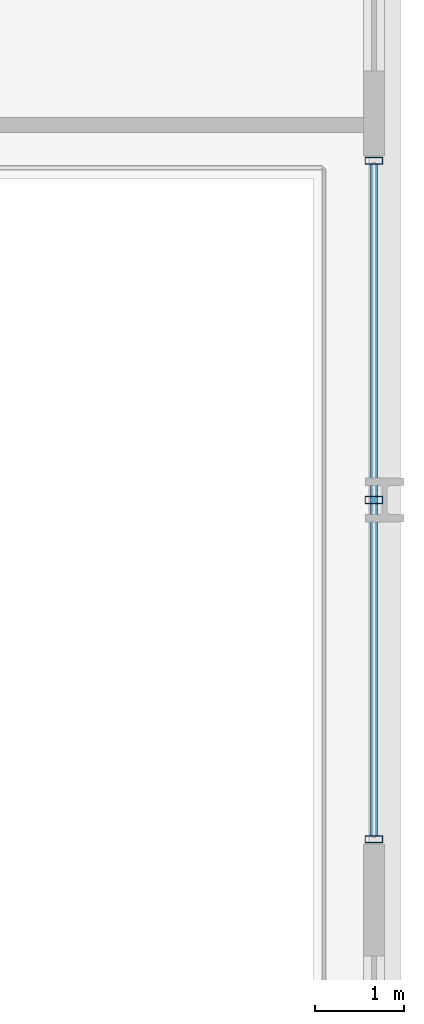
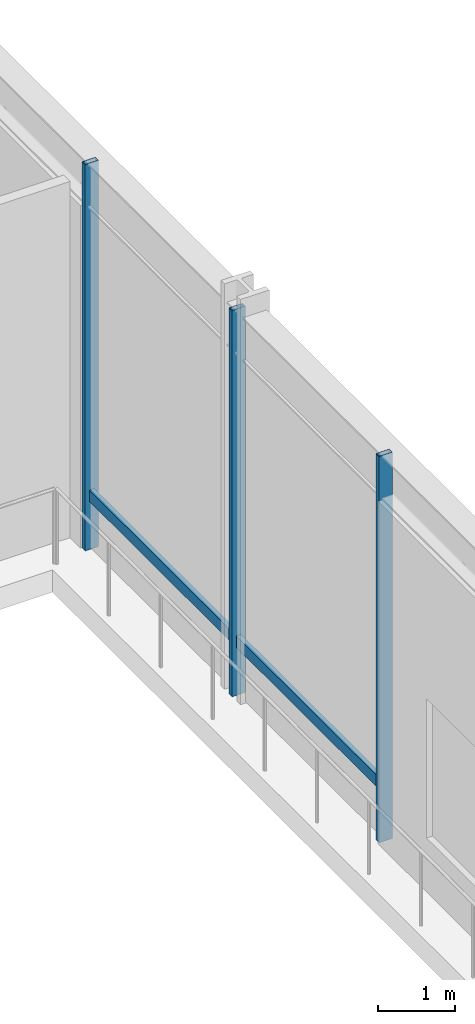
# One storey, part 9 of 20: 4 members, 1 element without a shape of its own.
"""IFC4 building model written with IfcOpenShell, lengths in metres."""

from ifc_helpers import new_model, si_unit, direction, frame, origin, origin_2d, place, context, subcontext, project, spatial, hollow_rectangle, extrude, material, layer, layer_set, material_profile, profile_set, type_object, element, aggregate, save


model = new_model("IFC4")

# Units and contexts
model_context = context("Model", 3, precision=1e-05, world=origin(), true_north=direction((0.0, 1.0)))
body_context = subcontext(model_context, "Body", "Model", "MODEL_VIEW")
ifc_project = project(units=[si_unit("LENGTHUNIT", "METRE"), si_unit("AREAUNIT", "SQUARE_METRE"), si_unit("VOLUMEUNIT", "CUBIC_METRE"), si_unit("PLANEANGLEUNIT", "RADIAN"), si_unit("MASSUNIT", "GRAM", prefix="KILO")], contexts=[model_context])

# Site, building, storey
site_placement = place(None, origin())
site = spatial("IfcSite", under=ifc_project, at=site_placement, CompositionType="ELEMENT")
building_placement = place(site_placement, origin())
building = spatial("IfcBuilding", under=site, at=building_placement, Name="Drelvath Grand Hotel", CompositionType="ELEMENT")
storey_placement = place(building_placement, frame((0.0, 0.0, 10.800048828125)))
storey = spatial("IfcBuildingStorey", under=building, at=storey_placement, Name="L02", CompositionType="ELEMENT", Elevation=10.800048828125)

# Curtain wall, members
ifc_material = material(Name="Dark Bronze Anodised Aluminium Frame", Category="aluminium")
ifc_layer = layer(ifc_material, 0.199951171875)
ifc_layer_set = layer_set([ifc_layer], Name="Dark Bronze Anodised Aluminium Frame")
curtain_wall_type = type_object("IfcCurtainWallType", Name="Stick Curtain Wall CW-01 Dark Bronze Podium", PredefinedType="NOTDEFINED", material=ifc_layer_set)
curtain_wall_placement = place(storey_placement, origin())
curtain_wall = element("IfcCurtainWall", 1, at=curtain_wall_placement, inside=storey, type_object=curtain_wall_type, Name="L02 CW-01 Curtain Wall CW01-L02-EA2", PredefinedType="NOTDEFINED")
ifc_material_profile_1 = material_profile(ifc_material, hollow_rectangle(XDim=0.074951171875, YDim=0.179931640625, WallThickness=0.0048828125, at=origin_2d()), Name="HSS180X75X5")
ifc_profile_set_1 = profile_set([ifc_material_profile_1], Name="Dark Bronze Anodised Aluminium Frame")
member_type_1 = type_object("IfcMemberType", Name="Curtain Wall Horizontal Transom CW-01 HSS180X75X5", PredefinedType="USERDEFINED", material=ifc_profile_set_1)
member_1_placement = place(storey_placement, frame((38.8798828125, 39.159912109375, 0.849853515625), z_axis=(0.0, -1.0, 0.0), x_axis=(1.0, 0.0, 0.0)))
member_1 = element("IfcMember", 2, at=member_1_placement, type_object=member_type_1, Name="CW01-L02-EA2 Sill Transom", ObjectType="TRANSOM", PredefinedType="USERDEFINED", context=body_context, shape_type="SweptSolid", body=[
    extrude(hollow_rectangle(XDim=0.074951171875, YDim=0.179931640625, WallThickness=0.0048828125, at=origin_2d()), origin(), (0.0, 0.0, 1.0), 7.52001953125),
])
ifc_material_profile_2 = material_profile(ifc_material, hollow_rectangle(XDim=0.080078125, YDim=0.199951171875, WallThickness=0.0048828125, at=origin_2d()), Name="HSS200X80X5")
ifc_profile_set_2 = profile_set([ifc_material_profile_2], Name="Dark Bronze Anodised Aluminium Frame")
member_type_2 = type_object("IfcMemberType", Name="Curtain Wall Vertical Mullion CW-01 HSS200X80X5", PredefinedType="MULLION", material=ifc_profile_set_2)
member_2_placement = place(storey_placement, frame((38.8798828125, 39.199951171875, 0.0), z_axis=(0.0, 0.0, 1.0), x_axis=(0.0, 1.0, 0.0)))
member_2 = element("IfcMember", 3, at=member_2_placement, type_object=member_type_2, Name="CW01-L02-EA2 Mullion 1", PredefinedType="MULLION", context=body_context, shape_type="SweptSolid", body=[
    extrude(hollow_rectangle(XDim=0.080078125, YDim=0.199951171875, WallThickness=0.0048828125, at=origin_2d()), origin(), (0.0, 0.0, 1.0), 6.099853515625),
])
member_3_placement = place(storey_placement, frame((38.8798828125, 35.39990234375, 0.0), z_axis=(0.0, 0.0, 1.0), x_axis=(0.0, 1.0, 0.0)))
member_3 = element("IfcMember", 4, at=member_3_placement, type_object=member_type_2, Name="CW01-L02-EA2 Mullion 2", PredefinedType="MULLION", context=body_context, shape_type="SweptSolid", body=[
    extrude(hollow_rectangle(XDim=0.080078125, YDim=0.199951171875, WallThickness=0.0048828125, at=origin_2d()), origin(), (0.0, 0.0, 1.0), 6.099853515625),
])
member_4_placement = place(storey_placement, frame((38.8798828125, 31.60009765625, 0.0), z_axis=(0.0, 0.0, 1.0), x_axis=(0.0, 1.0, 0.0)))
member_4 = element("IfcMember", 5, at=member_4_placement, type_object=member_type_2, Name="CW01-L02-EA2 Mullion 3", PredefinedType="MULLION", context=body_context, shape_type="SweptSolid", body=[
    extrude(hollow_rectangle(XDim=0.080078125, YDim=0.199951171875, WallThickness=0.0048828125, at=origin_2d()), origin(), (0.0, 0.0, 1.0), 6.099853515625),
])
aggregate(curtain_wall, [member_2, member_3, member_4, member_1])

save(model, "model.ifc")
